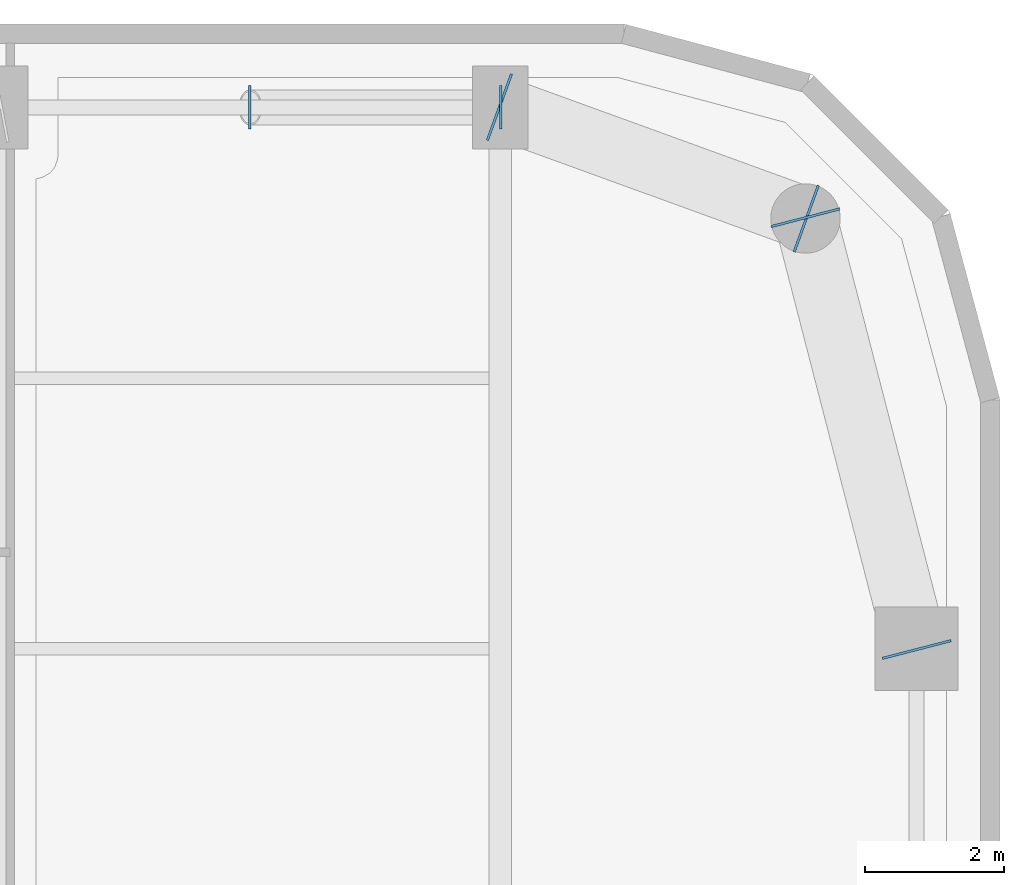
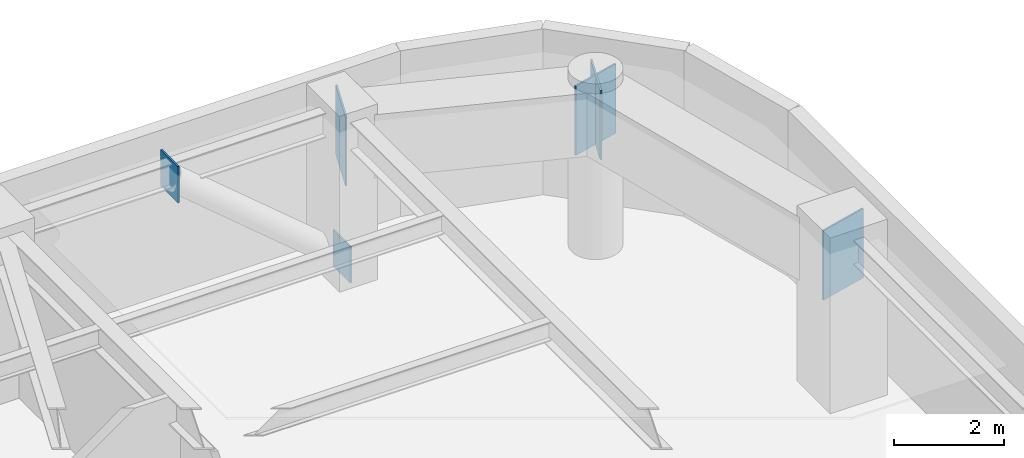
# One storey, part 23 of 30: 6 plates.
"""IFC4 building model written with IfcOpenShell, lengths in metres."""

from ifc_helpers import new_model, si_unit, direction, frame, origin, origin_2d, place, context, subcontext, project, spatial, rectangle, extrude, material, layer, layer_set, type_object, element, save


model = new_model("IFC4")

# Units and contexts
model_context = context("Model", 3, precision=1e-05, world=origin(), true_north=direction((0.0, 1.0)))
body_context = subcontext(model_context, "Body", "Model", "MODEL_VIEW")
ifc_project = project(units=[si_unit("LENGTHUNIT", "METRE"), si_unit("AREAUNIT", "SQUARE_METRE"), si_unit("VOLUMEUNIT", "CUBIC_METRE"), si_unit("PLANEANGLEUNIT", "RADIAN"), si_unit("MASSUNIT", "GRAM", prefix="KILO")], contexts=[model_context])

# Site, building, storey
site_placement = place(None, origin())
site = spatial("IfcSite", under=ifc_project, at=site_placement, CompositionType="ELEMENT")
building_placement = place(site_placement, origin())
building = spatial("IfcBuilding", under=site, at=building_placement, Name="Kiyonajd Concourse Tower", CompositionType="ELEMENT")
storey_placement = place(building_placement, frame((0.0, 0.0, 190.199951171875)))
storey = spatial("IfcBuildingStorey", under=building, at=storey_placement, Name="L48", CompositionType="ELEMENT", Elevation=190.199951171875)

# Plates
ifc_material = material(Name="Steel ASTM A572 Grade 50", Category="steel")
ifc_layer_1 = layer(ifc_material, 0.028076171875)
ifc_layer_set_1 = layer_set([ifc_layer_1], Name="Steel ASTM A572 Grade 50")
plate_type_1 = type_object("IfcPlateType", Name="PL-CAP-450", PredefinedType="USERDEFINED", material=ifc_layer_set_1)
for number, where, z_axis, x_axis, name in (
    (1, (63.6083984375, 61.199951171875, -0.10888671875), (0.0, 0.0, 1.0), (1.0, 0.0, 0.0), "L48 Hollow Brace End Cap Plate PBN"),
    (2, (59.99169921875, 61.199951171875, 2.93505859375), (0.0, 0.0, 1.0), (-1.0, 0.0, 0.0), "L48 Hollow Brace Top Cap Plate PBN"),
):
    element("IfcPlate", number, at=place(storey_placement, frame(where, z_axis=z_axis, x_axis=x_axis)), inside=storey, type_object=plate_type_1, Name=name, ObjectType="CAP PLATE", PredefinedType="USERDEFINED", context=body_context, shape_type="SweptSolid", body=[
        extrude(rectangle(XDim=0.035888671875, YDim=0.6279296875, at=origin_2d()), origin(), (0.0, 0.0, 1.0), 0.803955078125),
    ])
ifc_layer_2 = layer(ifc_material, 0.031982421875)
ifc_layer_set_2 = layer_set([ifc_layer_2], Name="Steel ASTM A572 Grade 50")
plate_type_2 = type_object("IfcPlateType", Name="PL-CAP-540", PredefinedType="USERDEFINED", material=ifc_layer_set_2)
for number, where, z_axis, x_axis, name in (
    (3, (69.602783203125, 53.389404296875, 2.2099609375), (0.0, 0.0, 1.0), (0.249873048837, -0.968278606324, 0.0), "L48 Welded Box Girder End Cap"),
    (4, (67.997314453125, 59.610595703125, 2.2099609375), (0.0, 0.0, 1.0), (-0.249873048837, 0.968278606324, 0.0), "L48 Welded Box Girder End Cap"),
    (5, (68.01025390625, 59.59619140625, 2.2099609375), (0.0, 0.0, 1.0), (0.939811951086, -0.341692107891, 0.0), "L48 Welded Box Girder End Cap"),
    (6, (63.589599609375, 61.203857421875, 2.2099609375), (0.0, 0.0, 1.0), (-0.939811951086, 0.341692107891, 0.0), "L48 Welded Box Girder End Cap"),
):
    element("IfcPlate", number, at=place(storey_placement, frame(where, z_axis=z_axis, x_axis=x_axis)), inside=storey, type_object=plate_type_2, Name=name, ObjectType="CAP PLATE", PredefinedType="USERDEFINED", context=body_context, shape_type="SweptSolid", body=[
        extrude(rectangle(XDim=0.035888671875, YDim=1.02001953125, at=origin_2d()), origin(), (0.0, 0.0, 1.0), 1.5400390625),
    ])

save(model, "model.ifc")
